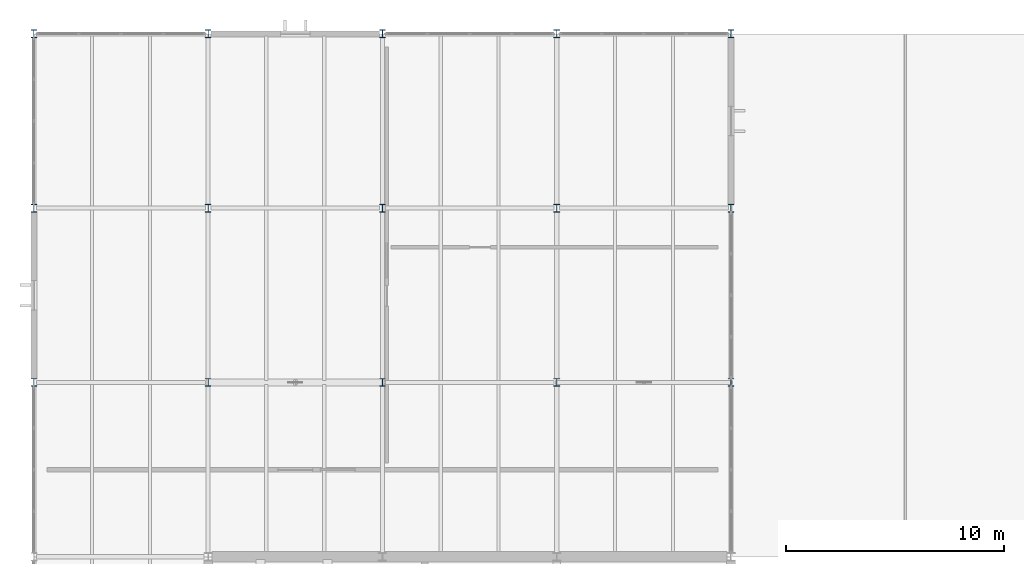
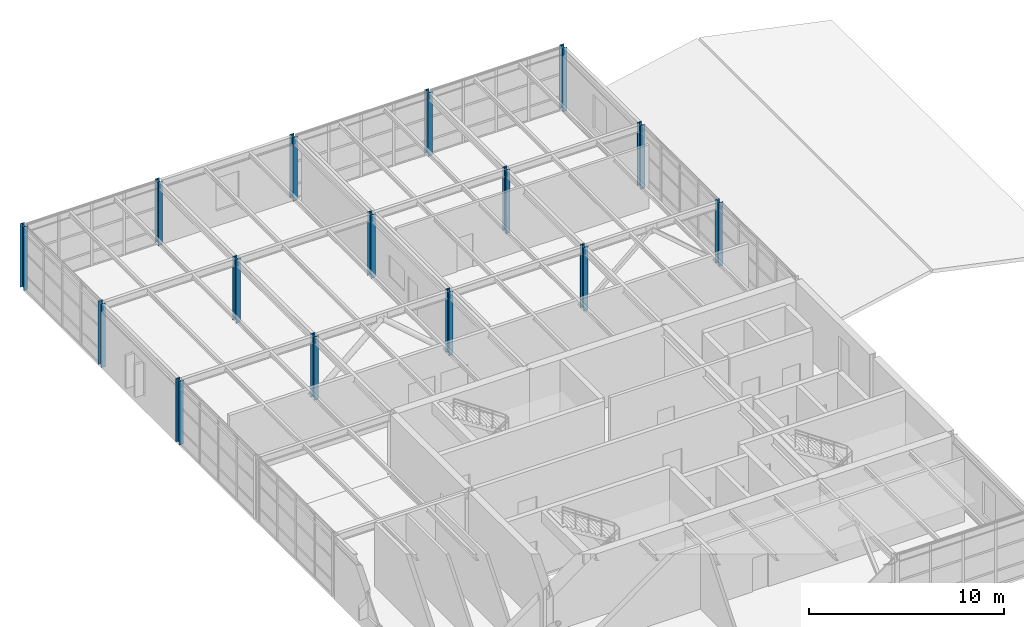
# One storey, part 2 of 20: 15 columns.
"""IFC4 building model written with IfcOpenShell, lengths in metres."""

from ifc_helpers import new_model, si_unit, direction, frame, origin, origin_2d, place, context, subcontext, project, spatial, i_section, extrude, material, material_profile, profile_set, type_object, element, save


model = new_model("IFC4")

# Units and contexts
model_context = context("Model", 3, precision=1e-05, world=origin(), true_north=direction((0.0, 1.0)))
body_context = subcontext(model_context, "Body", "Model", "MODEL_VIEW")
ifc_project = project(units=[si_unit("LENGTHUNIT", "METRE"), si_unit("AREAUNIT", "SQUARE_METRE"), si_unit("VOLUMEUNIT", "CUBIC_METRE"), si_unit("PLANEANGLEUNIT", "RADIAN"), si_unit("MASSUNIT", "GRAM", prefix="KILO")], contexts=[model_context])

# Site, building, storey
site_placement = place(None, origin())
site = spatial("IfcSite", under=ifc_project, at=site_placement, CompositionType="ELEMENT")
building_placement = place(site_placement, origin())
building = spatial("IfcBuilding", under=site, at=building_placement, Name="Varnela Railside Interchange", CompositionType="ELEMENT")
storey_placement = place(building_placement, frame((0.0, 0.0, 28.0)))
storey = spatial("IfcBuildingStorey", under=building, at=storey_placement, Name="L06", CompositionType="ELEMENT", Elevation=28.0)

# Columns
ifc_material = material(Name="Steel AR 350 (350 MPa)", Category="steel")
ifc_material_profile = material_profile(ifc_material, i_section(OverallWidth=0.257080078125, OverallDepth=0.363037109375, WebThickness=0.012939453125, FlangeThickness=0.021728515625, at=origin_2d()), Name="W360x122")
ifc_profile_set = profile_set([ifc_material_profile], Name="Steel AR 350 (350 MPa)")
column_type = type_object("IfcColumnType", Name="Superstructure Steel Col C-20", PredefinedType="COLUMN", material=ifc_profile_set)
for number, where, z_axis, x_axis, name in (
    (1, (4.0, 78.0, 0.0), (0.0, 0.0, 1.0), (1.0, 0.0, 0.0), "Column C-20 (L06) (CL-1019)"),
    (2, (4.0, 86.0, 0.0), (0.0, 0.0, 1.0), (1.0, 0.0, 0.0), "Column C-20 (L06) (CL-1020)"),
    (3, (4.0, 94.0, 0.0), (0.0, 0.0, 1.0), (1.0, 0.0, 0.0), "Column C-20 (L06) (CL-1021)"),
    (4, (12.0, 78.0, 0.0), (0.0, 0.0, 1.0), (1.0, 0.0, 0.0), "Column C-20 (L06) (CL-1026)"),
    (5, (12.0, 86.0, 0.0), (0.0, 0.0, 1.0), (1.0, 0.0, 0.0), "Column C-20 (L06) (CL-1027)"),
    (6, (12.0, 94.0, 0.0), (0.0, 0.0, 1.0), (1.0, 0.0, 0.0), "Column C-20 (L06) (CL-1028)"),
    (7, (20.0, 78.0, 0.0), (0.0, 0.0, 1.0), (1.0, 0.0, 0.0), "Column C-20 (L06) (CL-1032)"),
    (8, (20.0, 86.0, 0.0), (0.0, 0.0, 1.0), (1.0, 0.0, 0.0), "Column C-20 (L06) (CL-1033)"),
    (9, (20.0, 94.0, 0.0), (0.0, 0.0, 1.0), (1.0, 0.0, 0.0), "Column C-20 (L06) (CL-1034)"),
    (10, (28.0, 78.0, 0.0), (0.0, 0.0, 1.0), (1.0, 0.0, 0.0), "Column C-20 (L06) (CL-1038)"),
    (11, (28.0, 86.0, 0.0), (0.0, 0.0, 1.0), (1.0, 0.0, 0.0), "Column C-20 (L06) (CL-1039)"),
    (12, (28.0, 94.0, 0.0), (0.0, 0.0, 1.0), (1.0, 0.0, 0.0), "Column C-20 (L06) (CL-1040)"),
    (13, (36.0, 78.0, 0.0), (0.0, 0.0, 1.0), (1.0, 0.0, 0.0), "Column C-20 (L06) (CL-1045)"),
    (14, (36.0, 86.0, 0.0), (0.0, 0.0, 1.0), (1.0, 0.0, 0.0), "Column C-20 (L06) (CL-1046)"),
    (15, (36.0, 94.0, 0.0), (0.0, 0.0, 1.0), (1.0, 0.0, 0.0), "Column C-20 (L06) (CL-1047)"),
):
    element("IfcColumn", number, at=place(storey_placement, frame(where, z_axis=z_axis, x_axis=x_axis)), inside=storey, type_object=column_type, Name=name, PredefinedType="COLUMN", context=body_context, shape_type="SweptSolid", body=[
        extrude(i_section(OverallWidth=0.257080078125, OverallDepth=0.363037109375, WebThickness=0.012939453125, FlangeThickness=0.021728515625, at=origin_2d()), origin(), (0.0, 0.0, 1.0), 3.97998046875),
    ])

save(model, "model.ifc")
